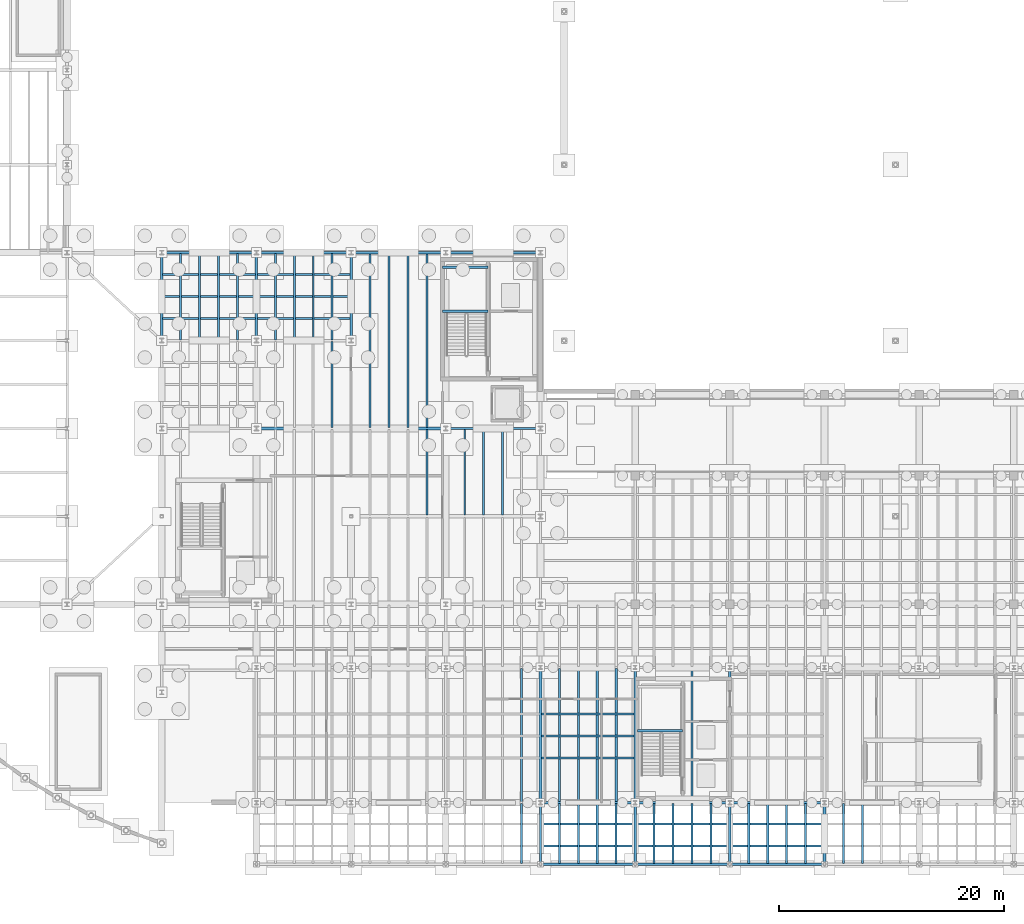
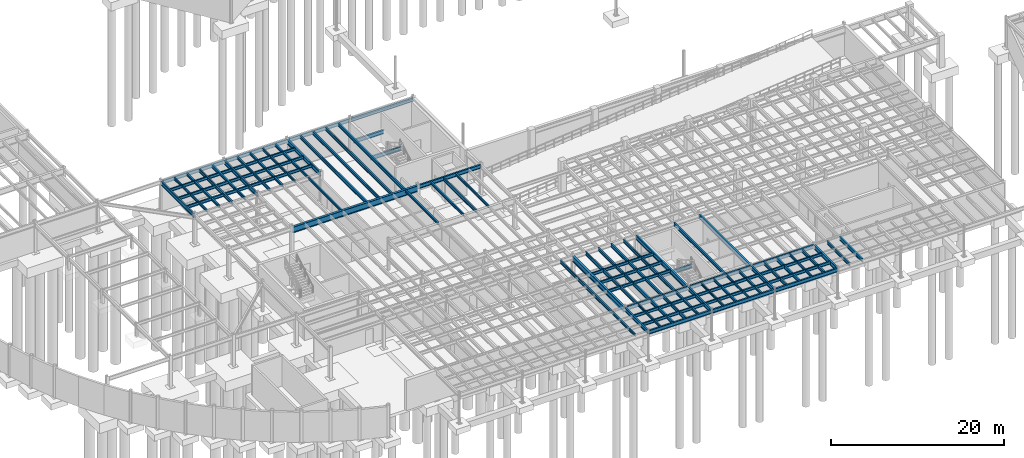
# One storey, part 26 of 41: 78 beams.
"""IFC4 building model written with IfcOpenShell, lengths in metres."""

from ifc_helpers import new_model, si_unit, direction, frame, origin, origin_2d, place, context, subcontext, project, spatial, i_section, extrude, material, material_profile, profile_set, type_object, element, save


model = new_model("IFC4")

# Units and contexts
model_context = context("Model", 3, precision=1e-05, world=origin(), true_north=direction((0.0, 1.0)))
body_context = subcontext(model_context, "Body", "Model", "MODEL_VIEW")
ifc_project = project(units=[si_unit("LENGTHUNIT", "METRE"), si_unit("AREAUNIT", "SQUARE_METRE"), si_unit("VOLUMEUNIT", "CUBIC_METRE"), si_unit("PLANEANGLEUNIT", "RADIAN"), si_unit("MASSUNIT", "GRAM", prefix="KILO")], contexts=[model_context])

# Site, building, storey
site_placement = place(None, origin())
site = spatial("IfcSite", under=ifc_project, at=site_placement, CompositionType="ELEMENT")
building_placement = place(site_placement, origin())
building = spatial("IfcBuilding", under=site, at=building_placement, Name="Selat Folded Stagehouse", CompositionType="ELEMENT")
storey_placement = place(building_placement, frame((0.0, 0.0, -4.5)))
storey = spatial("IfcBuildingStorey", under=building, at=storey_placement, Name="B1", CompositionType="ELEMENT", Elevation=-4.5)

# Beams
ifc_material = material(Name="Steel S355", Category="steel")
ifc_material_profile_1 = material_profile(ifc_material, i_section(OverallWidth=0.210693359375, OverallDepth=0.53955078125, WebThickness=0.01171875, FlangeThickness=0.018798828125, FilletRadius=0.0126953125, at=origin_2d()), Name="UKB 533x210x109")
ifc_profile_set_1 = profile_set([ifc_material_profile_1], Name="Steel S355")
beam_type_1 = type_object("IfcBeamType", Name="BM-GIRD-533x210x109", PredefinedType="BEAM", material=ifc_profile_set_1)
for number, where, z_axis, x_axis, name in (
    (1, (33.60009765625, 46.8798828125, 3.9501953125), (0.0, 1.0, 0.0), (-1.0, 0.0, 0.0), "B1 primary y-girder 0095"),
    (2, (42.0, 46.8798828125, 3.9501953125), (0.0, 1.0, 0.0), (-1.0, 0.0, 0.0), "B1 primary y-girder 0100"),
):
    element("IfcBeam", number, at=place(storey_placement, frame(where, z_axis=z_axis, x_axis=x_axis)), inside=storey, type_object=beam_type_1, Name=name, PredefinedType="BEAM", context=body_context, shape_type="SweptSolid", body=[
        extrude(i_section(OverallWidth=0.210693359375, OverallDepth=0.53955078125, WebThickness=0.01171875, FlangeThickness=0.018798828125, FilletRadius=0.0126953125, at=origin_2d()), origin(), (0.0, 0.0, 1.0), 7.64013671875),
    ])
for number, where, z_axis, x_axis, name in (
    (3, (67.199951171875, 0.418212890625, 3.990234375), (0.0, 1.0, 0.0), (-1.0, 0.0, 0.0), "B1 primary y-girder 0109"),
    (4, (75.60009765625, 0.418212890625, 3.990234375), (0.0, 1.0, 0.0), (-1.0, 0.0, 0.0), "B1 primary y-girder 0115"),
    (5, (84.0, 0.418212890625, 3.990234375), (0.0, 1.0, 0.0), (-1.0, 0.0, 0.0), "B1 primary y-girder 0119"),
):
    element("IfcBeam", number, at=place(storey_placement, frame(where, z_axis=z_axis, x_axis=x_axis)), inside=storey, type_object=beam_type_1, Name=name, PredefinedType="BEAM", context=body_context, shape_type="SweptSolid", body=[
        extrude(i_section(OverallWidth=0.210693359375, OverallDepth=0.53955078125, WebThickness=0.01171875, FlangeThickness=0.018798828125, FilletRadius=0.0126953125, at=origin_2d()), origin(), (0.0, 0.0, 1.0), 5.3017578125),
    ])
ifc_material_profile_2 = material_profile(ifc_material, i_section(OverallWidth=0.209228515625, OverallDepth=0.533203125, WebThickness=0.010009765625, FlangeThickness=0.015625, FilletRadius=0.0126953125, at=origin_2d()), Name="UKB 533x210x92")
ifc_profile_set_2 = profile_set([ifc_material_profile_2], Name="Steel S355")
beam_type_2 = type_object("IfcBeamType", Name="BM-GIRD-533x210x92", PredefinedType="BEAM", material=ifc_profile_set_2)
for number, where, z_axis, x_axis, name in (
    (6, (67.268310546875, 0.35009765625, 3.993408203125), (1.0, 0.0, 0.0), (0.0, 1.0, 0.0), "B1 primary x-girder 0007"),
    (7, (75.668212890625, 0.35009765625, 3.993408203125), (1.0, 0.0, 0.0), (0.0, 1.0, 0.0), "B1 primary x-girder 0008"),
    (8, (84.068359375, 0.35009765625, 3.993408203125), (1.0, 0.0, 0.0), (0.0, 1.0, 0.0), "B1 primary x-girder 0009"),
):
    element("IfcBeam", number, at=place(storey_placement, frame(where, z_axis=z_axis, x_axis=x_axis)), inside=storey, type_object=beam_type_2, Name=name, PredefinedType="BEAM", context=body_context, shape_type="SweptSolid", body=[
        extrude(i_section(OverallWidth=0.209228515625, OverallDepth=0.533203125, WebThickness=0.010009765625, FlangeThickness=0.015625, FilletRadius=0.0126953125, at=origin_2d()), origin(), (0.0, 0.0, 1.0), 8.263427734375),
    ])
for number, where, z_axis, x_axis, name in (
    (9, (67.280029296875, 5.800048828125, 3.9833984375), (1.0, 0.0, 0.0), (0.0, 1.0, 0.0), "B1 primary x-girder 0016"),
    (10, (75.679931640625, 5.800048828125, 3.9833984375), (1.0, 0.0, 0.0), (0.0, 1.0, 0.0), "B1 primary x-girder 0017"),
    (11, (84.080078125, 5.800048828125, 3.9833984375), (1.0, 0.0, 0.0), (0.0, 1.0, 0.0), "B1 primary x-girder 0018"),
):
    element("IfcBeam", number, at=place(storey_placement, frame(where, z_axis=z_axis, x_axis=x_axis)), inside=storey, type_object=beam_type_2, Name=name, PredefinedType="BEAM", context=body_context, shape_type="SweptSolid", body=[
        extrude(i_section(OverallWidth=0.209228515625, OverallDepth=0.533203125, WebThickness=0.010009765625, FlangeThickness=0.015625, FilletRadius=0.0126953125, at=origin_2d()), origin(), (0.0, 0.0, 1.0), 8.239990234375),
    ])
beam_1_placement = place(storey_placement, frame((58.8798828125, 39.0, 3.953369140625), z_axis=(1.0, 0.0, 0.0), x_axis=(0.0, 1.0, 0.0)))
element("IfcBeam", 12, at=beam_1_placement, inside=storey, type_object=beam_type_2, Name="B1 primary x-girder 0060", PredefinedType="BEAM", context=body_context, shape_type="SweptSolid", body=[
    extrude(i_section(OverallWidth=0.209228515625, OverallDepth=0.533203125, WebThickness=0.010009765625, FlangeThickness=0.015625, FilletRadius=0.0126953125, at=origin_2d()), origin(), (0.0, 0.0, 1.0), 8.240234375),
])
for number, where, z_axis, x_axis, name in (
    (13, (33.679931640625, 54.60009765625, 3.953369140625), (1.0, 0.0, 0.0), (0.0, 1.0, 0.0), "B1 primary x-girder 0071"),
    (14, (42.080078125, 54.60009765625, 3.953369140625), (1.0, 0.0, 0.0), (0.0, 1.0, 0.0), "B1 primary x-girder 0072"),
    (15, (50.47998046875, 54.60009765625, 3.953369140625), (1.0, 0.0, 0.0), (0.0, 1.0, 0.0), "B1 primary x-girder 0073"),
):
    element("IfcBeam", number, at=place(storey_placement, frame(where, z_axis=z_axis, x_axis=x_axis)), inside=storey, type_object=beam_type_2, Name=name, PredefinedType="BEAM", context=body_context, shape_type="SweptSolid", body=[
        extrude(i_section(OverallWidth=0.209228515625, OverallDepth=0.533203125, WebThickness=0.010009765625, FlangeThickness=0.015625, FilletRadius=0.0126953125, at=origin_2d()), origin(), (0.0, 0.0, 1.0), 8.239990234375),
    ])
beam_2_placement = place(storey_placement, frame((58.8798828125, 54.60009765625, 3.953369140625), z_axis=(1.0, 0.0, 0.0), x_axis=(0.0, 1.0, 0.0)))
element("IfcBeam", 16, at=beam_2_placement, inside=storey, type_object=beam_type_2, Name="B1 primary x-girder 0074", PredefinedType="BEAM", context=body_context, shape_type="SweptSolid", body=[
    extrude(i_section(OverallWidth=0.209228515625, OverallDepth=0.533203125, WebThickness=0.010009765625, FlangeThickness=0.015625, FilletRadius=0.0126953125, at=origin_2d()), origin(), (0.0, 0.0, 1.0), 8.240234375),
])
for number, where, z_axis, x_axis, name in (
    (17, (58.5, 49.4150390625, 1.783447265625), (1.0, 0.0, 0.0), (0.0, 1.0, 0.0), "B1 ST-02 landing support beam 1"),
    (18, (58.5, 53.31005859375, 1.783447265625), (1.0, 0.0, 0.0), (0.0, 1.0, 0.0), "B1 ST-02 landing support beam 2"),
):
    element("IfcBeam", number, at=place(storey_placement, frame(where, z_axis=z_axis, x_axis=x_axis)), inside=storey, type_object=beam_type_2, Name=name, PredefinedType="BEAM", context=body_context, shape_type="SweptSolid", body=[
        extrude(i_section(OverallWidth=0.209228515625, OverallDepth=0.533203125, WebThickness=0.010009765625, FlangeThickness=0.015625, FilletRadius=0.0126953125, at=origin_2d()), origin(), (0.0, 0.0, 1.0), 4.050048828125),
    ])
beam_3_placement = place(storey_placement, frame((75.800048828125, 12.18505859375, 1.783447265625), z_axis=(1.0, 0.0, 0.0), x_axis=(0.0, 1.0, 0.0)))
element("IfcBeam", 19, at=beam_3_placement, inside=storey, type_object=beam_type_2, Name="B1 ST-03 landing support beam 1", PredefinedType="BEAM", context=body_context, shape_type="SweptSolid", body=[
    extrude(i_section(OverallWidth=0.209228515625, OverallDepth=0.533203125, WebThickness=0.010009765625, FlangeThickness=0.015625, FilletRadius=0.0126953125, at=origin_2d()), origin(), (0.0, 0.0, 1.0), 4.02001953125),
])
ifc_material_profile_3 = material_profile(ifc_material, i_section(OverallWidth=0.230224609375, OverallDepth=0.6171875, WebThickness=0.01318359375, FlangeThickness=0.022216796875, FilletRadius=0.0126953125, at=origin_2d()), Name="UKB 610x229x140")
ifc_profile_set_3 = profile_set([ifc_material_profile_3], Name="Steel S355")
beam_type_3 = type_object("IfcBeamType", Name="BM-GIRD-610x229x140", PredefinedType="BEAM", material=ifc_profile_set_3)
beam_4_placement = place(storey_placement, frame((50.39990234375, 46.8798828125, 3.911376953125), z_axis=(0.0, 1.0, 0.0), x_axis=(-1.0, 0.0, 0.0)))
element("IfcBeam", 20, at=beam_4_placement, inside=storey, type_object=beam_type_3, Name="B1 primary y-girder 0105", PredefinedType="BEAM", context=body_context, shape_type="SweptSolid", body=[
    extrude(i_section(OverallWidth=0.230224609375, OverallDepth=0.6171875, WebThickness=0.01318359375, FlangeThickness=0.022216796875, FilletRadius=0.0126953125, at=origin_2d()), origin(), (0.0, 0.0, 1.0), 7.64013671875),
])
for number, where, z_axis, x_axis, name in (
    (21, (75.60009765625, 5.8798828125, 3.94140625), (0.0, 1.0, 0.0), (-1.0, 0.0, 0.0), "B1 primary y-girder 0116"),
    (22, (84.0, 5.8798828125, 3.94140625), (0.0, 1.0, 0.0), (-1.0, 0.0, 0.0), "B1 primary y-girder 0120"),
):
    element("IfcBeam", number, at=place(storey_placement, frame(where, z_axis=z_axis, x_axis=x_axis)), inside=storey, type_object=beam_type_3, Name=name, PredefinedType="BEAM", context=body_context, shape_type="SweptSolid", body=[
        extrude(i_section(OverallWidth=0.230224609375, OverallDepth=0.6171875, WebThickness=0.01318359375, FlangeThickness=0.022216796875, FilletRadius=0.0126953125, at=origin_2d()), origin(), (0.0, 0.0, 1.0), 11.840087890625),
    ])
beam_5_placement = place(storey_placement, frame((92.39990234375, 0.418212890625, 3.951416015625), z_axis=(0.0, 1.0, 0.0), x_axis=(-1.0, 0.0, 0.0)))
element("IfcBeam", 23, at=beam_5_placement, inside=storey, type_object=beam_type_3, Name="B1 primary y-girder 0123", PredefinedType="BEAM", context=body_context, shape_type="SweptSolid", body=[
    extrude(i_section(OverallWidth=0.230224609375, OverallDepth=0.6171875, WebThickness=0.01318359375, FlangeThickness=0.022216796875, FilletRadius=0.0126953125, at=origin_2d()), origin(), (0.0, 0.0, 1.0), 5.3017578125),
])
ifc_material_profile_4 = material_profile(ifc_material, i_section(OverallWidth=0.26806640625, OverallDepth=0.769775390625, WebThickness=0.015625, FlangeThickness=0.025390625, FilletRadius=0.0166015625, at=origin_2d()), Name="UKB 762x267x197")
ifc_profile_set_4 = profile_set([ifc_material_profile_4], Name="Steel S355")
beam_type_4 = type_object("IfcBeamType", Name="BM-GIRD-762x267x197", PredefinedType="BEAM", material=ifc_profile_set_4)
beam_6_placement = place(storey_placement, frame((67.199951171875, 5.8798828125, 3.864990234375), z_axis=(0.0, 1.0, 0.0), x_axis=(-1.0, 0.0, 0.0)))
element("IfcBeam", 24, at=beam_6_placement, inside=storey, type_object=beam_type_4, Name="B1 primary y-girder 0110", PredefinedType="BEAM", context=body_context, shape_type="SweptSolid", body=[
    extrude(i_section(OverallWidth=0.26806640625, OverallDepth=0.769775390625, WebThickness=0.015625, FlangeThickness=0.025390625, FilletRadius=0.0166015625, at=origin_2d()), origin(), (0.0, 0.0, 1.0), 11.840087890625),
])
ifc_material_profile_5 = material_profile(ifc_material, i_section(OverallWidth=0.293701171875, OverallDepth=0.850830078125, WebThickness=0.01611328125, FlangeThickness=0.02685546875, FilletRadius=0.017822265625, at=origin_2d()), Name="UKB 838x292x226")
ifc_profile_set_5 = profile_set([ifc_material_profile_5], Name="Steel S355")
beam_type_5 = type_object("IfcBeamType", Name="BM-LONG-838x292x226", PredefinedType="BEAM", material=ifc_profile_set_5)
beam_7_placement = place(storey_placement, frame((42.080078125, 39.0, 3.79443359375), z_axis=(1.0, 0.0, 0.0), x_axis=(0.0, 1.0, 0.0)))
element("IfcBeam", 25, at=beam_7_placement, inside=storey, type_object=beam_type_5, Name="B1 primary x-girder 0059", PredefinedType="BEAM", context=body_context, shape_type="SweptSolid", body=[
    extrude(i_section(OverallWidth=0.293701171875, OverallDepth=0.850830078125, WebThickness=0.01611328125, FlangeThickness=0.02685546875, FilletRadius=0.017822265625, at=origin_2d()), origin(), (0.0, 0.0, 1.0), 16.639892578125),
])
ifc_material_profile_6 = material_profile(ifc_material, i_section(OverallWidth=0.1650390625, OverallDepth=0.303466796875, WebThickness=0.006103515625, FlangeThickness=0.01025390625, FilletRadius=0.0087890625, at=origin_2d()), Name="UKB 305x165x40")
ifc_profile_set_6 = profile_set([ifc_material_profile_6], Name="Steel S355")
beam_type_6 = type_object("IfcBeamType", Name="JST-305x165x40", PredefinedType="JOIST", material=ifc_profile_set_6)
for number, where, z_axis, x_axis, name in (
    (26, (68.8798828125, 0.42333984375, 4.098388671875), (0.0, 1.0, 0.0), (-1.0, 0.0, 0.0), "B1 secondary floor joist 0263"),
    (27, (77.280029296875, 0.42333984375, 4.098388671875), (0.0, 1.0, 0.0), (-1.0, 0.0, 0.0), "B1 secondary floor joist 0275"),
    (28, (80.639892578125, 0.42333984375, 4.098388671875), (0.0, 1.0, 0.0), (-1.0, 0.0, 0.0), "B1 secondary floor joist 0281"),
):
    element("IfcBeam", number, at=place(storey_placement, frame(where, z_axis=z_axis, x_axis=x_axis)), inside=storey, type_object=beam_type_6, Name=name, PredefinedType="JOIST", context=body_context, shape_type="SweptSolid", body=[
        extrude(i_section(OverallWidth=0.1650390625, OverallDepth=0.303466796875, WebThickness=0.006103515625, FlangeThickness=0.01025390625, FilletRadius=0.0087890625, at=origin_2d()), origin(), (0.0, 0.0, 1.0), 5.303466796875),
    ])
ifc_material_profile_7 = material_profile(ifc_material, i_section(OverallWidth=0.17138671875, OverallDepth=0.35498046875, WebThickness=0.00732421875, FlangeThickness=0.011474609375, FilletRadius=0.01025390625, at=origin_2d()), Name="UKB 356x171x51")
ifc_profile_set_7 = profile_set([ifc_material_profile_7], Name="Steel S355")
beam_type_7 = type_object("IfcBeamType", Name="JST-356x171x51", PredefinedType="JOIST", material=ifc_profile_set_7)
for number, where, z_axis, x_axis, name in (
    (29, (35.280029296875, 46.873291015625, 4.04248046875), (0.0, 1.0, 0.0), (-1.0, 0.0, 0.0), "B1 secondary floor joist 0188"),
    (30, (36.9599609375, 46.873291015625, 4.04248046875), (0.0, 1.0, 0.0), (-1.0, 0.0, 0.0), "B1 secondary floor joist 0190"),
    (31, (45.360107421875, 46.873291015625, 4.04248046875), (0.0, 1.0, 0.0), (-1.0, 0.0, 0.0), "B1 secondary floor joist 0206"),
    (32, (47.0400390625, 46.873291015625, 4.04248046875), (0.0, 1.0, 0.0), (-1.0, 0.0, 0.0), "B1 secondary floor joist 0212"),
):
    element("IfcBeam", number, at=place(storey_placement, frame(where, z_axis=z_axis, x_axis=x_axis)), inside=storey, type_object=beam_type_7, Name=name, PredefinedType="JOIST", context=body_context, shape_type="SweptSolid", body=[
        extrude(i_section(OverallWidth=0.17138671875, OverallDepth=0.35498046875, WebThickness=0.00732421875, FlangeThickness=0.011474609375, FilletRadius=0.01025390625, at=origin_2d()), origin(), (0.0, 0.0, 1.0), 7.6533203125),
    ])
beam_8_placement = place(storey_placement, frame((48.719970703125, 39.102783203125, 4.04248046875), z_axis=(0.0, 1.0, 0.0), x_axis=(-1.0, 0.0, 0.0)))
element("IfcBeam", 33, at=beam_8_placement, inside=storey, type_object=beam_type_7, Name="B1 secondary floor joist 0217", PredefinedType="JOIST", context=body_context, shape_type="SweptSolid", body=[
    extrude(i_section(OverallWidth=0.17138671875, OverallDepth=0.35498046875, WebThickness=0.00732421875, FlangeThickness=0.011474609375, FilletRadius=0.01025390625, at=origin_2d()), origin(), (0.0, 0.0, 1.0), 7.6240234375),
])
beam_9_placement = place(storey_placement, frame((48.719970703125, 46.873291015625, 4.04248046875), z_axis=(0.0, 1.0, 0.0), x_axis=(-1.0, 0.0, 0.0)))
element("IfcBeam", 34, at=beam_9_placement, inside=storey, type_object=beam_type_7, Name="B1 secondary floor joist 0218", PredefinedType="JOIST", context=body_context, shape_type="SweptSolid", body=[
    extrude(i_section(OverallWidth=0.17138671875, OverallDepth=0.35498046875, WebThickness=0.00732421875, FlangeThickness=0.011474609375, FilletRadius=0.01025390625, at=origin_2d()), origin(), (0.0, 0.0, 1.0), 7.6533203125),
])
beam_10_placement = place(storey_placement, frame((57.1201171875, 31.302734375, 4.04248046875), z_axis=(0.0, 1.0, 0.0), x_axis=(-1.0, 0.0, 0.0)))
element("IfcBeam", 35, at=beam_10_placement, inside=storey, type_object=beam_type_7, Name="B1 secondary floor joist 0241", PredefinedType="JOIST", context=body_context, shape_type="SweptSolid", body=[
    extrude(i_section(OverallWidth=0.17138671875, OverallDepth=0.35498046875, WebThickness=0.00732421875, FlangeThickness=0.011474609375, FilletRadius=0.01025390625, at=origin_2d()), origin(), (0.0, 0.0, 1.0), 7.594482421875),
])
for number, where, z_axis, x_axis, name in (
    (36, (60.47998046875, 31.302734375, 4.04248046875), (0.0, 1.0, 0.0), (-1.0, 0.0, 0.0), "B1 secondary floor joist 0247"),
    (37, (63.840087890625, 31.302734375, 4.04248046875), (0.0, 1.0, 0.0), (-1.0, 0.0, 0.0), "B1 secondary floor joist 0257"),
):
    element("IfcBeam", number, at=place(storey_placement, frame(where, z_axis=z_axis, x_axis=x_axis)), inside=storey, type_object=beam_type_7, Name=name, PredefinedType="JOIST", context=body_context, shape_type="SweptSolid", body=[
        extrude(i_section(OverallWidth=0.17138671875, OverallDepth=0.35498046875, WebThickness=0.00732421875, FlangeThickness=0.011474609375, FilletRadius=0.01025390625, at=origin_2d()), origin(), (0.0, 0.0, 1.0), 7.6240234375),
    ])
for number, where, z_axis, x_axis, name in (
    (38, (65.52001953125, 0.42333984375, 4.072509765625), (0.0, 1.0, 0.0), (-1.0, 0.0, 0.0), "B1 secondary floor joist 0258"),
    (39, (73.919921875, 0.42333984375, 4.072509765625), (0.0, 1.0, 0.0), (-1.0, 0.0, 0.0), "B1 secondary floor joist 0272"),
    (40, (78.9599609375, 0.42333984375, 4.072509765625), (0.0, 1.0, 0.0), (-1.0, 0.0, 0.0), "B1 secondary floor joist 0278"),
    (41, (82.320068359375, 0.42333984375, 4.072509765625), (0.0, 1.0, 0.0), (-1.0, 0.0, 0.0), "B1 secondary floor joist 0285"),
    (42, (89.0400390625, 0.42333984375, 4.072509765625), (0.0, 1.0, 0.0), (-1.0, 0.0, 0.0), "B1 secondary floor joist 0296"),
):
    element("IfcBeam", number, at=place(storey_placement, frame(where, z_axis=z_axis, x_axis=x_axis)), inside=storey, type_object=beam_type_7, Name=name, PredefinedType="JOIST", context=body_context, shape_type="SweptSolid", body=[
        extrude(i_section(OverallWidth=0.17138671875, OverallDepth=0.35498046875, WebThickness=0.00732421875, FlangeThickness=0.011474609375, FilletRadius=0.01025390625, at=origin_2d()), origin(), (0.0, 0.0, 1.0), 5.303466796875),
    ])
ifc_material_profile_8 = material_profile(ifc_material, i_section(OverallWidth=0.177978515625, OverallDepth=0.406494140625, WebThickness=0.0078125, FlangeThickness=0.0126953125, FilletRadius=0.01025390625, at=origin_2d()), Name="UKB 406x178x60")
ifc_profile_set_8 = profile_set([ifc_material_profile_8], Name="Steel S355")
beam_type_8 = type_object("IfcBeamType", Name="JST-406x178x60", PredefinedType="JOIST", material=ifc_profile_set_8)
for number, where, z_axis, x_axis, name in (
    (43, (40.320068359375, 46.873291015625, 4.016845703125), (0.0, 1.0, 0.0), (-1.0, 0.0, 0.0), "B1 secondary floor joist 0194"),
    (44, (43.679931640625, 46.873291015625, 4.016845703125), (0.0, 1.0, 0.0), (-1.0, 0.0, 0.0), "B1 secondary floor joist 0200"),
):
    element("IfcBeam", number, at=place(storey_placement, frame(where, z_axis=z_axis, x_axis=x_axis)), inside=storey, type_object=beam_type_8, Name=name, PredefinedType="JOIST", context=body_context, shape_type="SweptSolid", body=[
        extrude(i_section(OverallWidth=0.177978515625, OverallDepth=0.406494140625, WebThickness=0.0078125, FlangeThickness=0.0126953125, FilletRadius=0.01025390625, at=origin_2d()), origin(), (0.0, 0.0, 1.0), 7.6533203125),
    ])
for number, where, z_axis, x_axis, name in (
    (45, (67.273681640625, 1.949951171875, 4.056884765625), (1.0, 0.0, 0.0), (0.0, 1.0, 0.0), "B1 secondary x-joist 0387"),
    (46, (75.673828125, 1.949951171875, 4.056884765625), (1.0, 0.0, 0.0), (0.0, 1.0, 0.0), "B1 secondary x-joist 0388"),
):
    element("IfcBeam", number, at=place(storey_placement, frame(where, z_axis=z_axis, x_axis=x_axis)), inside=storey, type_object=beam_type_8, Name=name, PredefinedType="JOIST", context=body_context, shape_type="SweptSolid", body=[
        extrude(i_section(OverallWidth=0.177978515625, OverallDepth=0.406494140625, WebThickness=0.0078125, FlangeThickness=0.0126953125, FilletRadius=0.01025390625, at=origin_2d()), origin(), (0.0, 0.0, 1.0), 8.25244140625),
    ])
beam_11_placement = place(storey_placement, frame((84.07373046875, 1.949951171875, 4.056884765625), z_axis=(1.0, 0.0, 0.0), x_axis=(0.0, 1.0, 0.0)))
element("IfcBeam", 47, at=beam_11_placement, inside=storey, type_object=beam_type_8, Name="B1 secondary x-joist 0389", PredefinedType="JOIST", context=body_context, shape_type="SweptSolid", body=[
    extrude(i_section(OverallWidth=0.177978515625, OverallDepth=0.406494140625, WebThickness=0.0078125, FlangeThickness=0.0126953125, FilletRadius=0.01025390625, at=origin_2d()), origin(), (0.0, 0.0, 1.0), 8.24560546875),
])
for number, where, z_axis, x_axis, name in (
    (48, (67.273681640625, 3.89990234375, 4.056884765625), (1.0, 0.0, 0.0), (0.0, 1.0, 0.0), "B1 secondary x-joist 0396"),
    (49, (75.673828125, 3.89990234375, 4.056884765625), (1.0, 0.0, 0.0), (0.0, 1.0, 0.0), "B1 secondary x-joist 0397"),
):
    element("IfcBeam", number, at=place(storey_placement, frame(where, z_axis=z_axis, x_axis=x_axis)), inside=storey, type_object=beam_type_8, Name=name, PredefinedType="JOIST", context=body_context, shape_type="SweptSolid", body=[
        extrude(i_section(OverallWidth=0.177978515625, OverallDepth=0.406494140625, WebThickness=0.0078125, FlangeThickness=0.0126953125, FilletRadius=0.01025390625, at=origin_2d()), origin(), (0.0, 0.0, 1.0), 8.25244140625),
    ])
beam_12_placement = place(storey_placement, frame((84.07373046875, 3.89990234375, 4.056884765625), z_axis=(1.0, 0.0, 0.0), x_axis=(0.0, 1.0, 0.0)))
element("IfcBeam", 50, at=beam_12_placement, inside=storey, type_object=beam_type_8, Name="B1 secondary x-joist 0398", PredefinedType="JOIST", context=body_context, shape_type="SweptSolid", body=[
    extrude(i_section(OverallWidth=0.177978515625, OverallDepth=0.406494140625, WebThickness=0.0078125, FlangeThickness=0.0126953125, FilletRadius=0.01025390625, at=origin_2d()), origin(), (0.0, 0.0, 1.0), 8.24560546875),
])
for number, where, z_axis, x_axis, name in (
    (51, (67.293701171875, 9.75, 4.046875), (1.0, 0.0, 0.0), (0.0, 1.0, 0.0), "B1 secondary x-joist 0406"),
    (52, (67.293701171875, 11.699951171875, 4.046875), (1.0, 0.0, 0.0), (0.0, 1.0, 0.0), "B1 secondary x-joist 0414"),
    (53, (67.293701171875, 13.64990234375, 4.046875), (1.0, 0.0, 0.0), (0.0, 1.0, 0.0), "B1 secondary x-joist 0422"),
):
    element("IfcBeam", number, at=place(storey_placement, frame(where, z_axis=z_axis, x_axis=x_axis)), inside=storey, type_object=beam_type_8, Name=name, PredefinedType="JOIST", context=body_context, shape_type="SweptSolid", body=[
        extrude(i_section(OverallWidth=0.177978515625, OverallDepth=0.406494140625, WebThickness=0.0078125, FlangeThickness=0.0126953125, FilletRadius=0.01025390625, at=origin_2d()), origin(), (0.0, 0.0, 1.0), 8.2255859375),
    ])
beam_13_placement = place(storey_placement, frame((33.673828125, 48.75, 4.016845703125), z_axis=(1.0, 0.0, 0.0), x_axis=(0.0, 1.0, 0.0)))
element("IfcBeam", 54, at=beam_13_placement, inside=storey, type_object=beam_type_8, Name="B1 secondary x-joist 0485", PredefinedType="JOIST", context=body_context, shape_type="SweptSolid", body=[
    extrude(i_section(OverallWidth=0.177978515625, OverallDepth=0.406494140625, WebThickness=0.0078125, FlangeThickness=0.0126953125, FilletRadius=0.01025390625, at=origin_2d()), origin(), (0.0, 0.0, 1.0), 8.25244140625),
])
beam_14_placement = place(storey_placement, frame((42.07373046875, 48.75, 4.016845703125), z_axis=(1.0, 0.0, 0.0), x_axis=(0.0, 1.0, 0.0)))
element("IfcBeam", 55, at=beam_14_placement, inside=storey, type_object=beam_type_8, Name="B1 secondary x-joist 0486", PredefinedType="JOIST", context=body_context, shape_type="SweptSolid", body=[
    extrude(i_section(OverallWidth=0.177978515625, OverallDepth=0.406494140625, WebThickness=0.0078125, FlangeThickness=0.0126953125, FilletRadius=0.01025390625, at=origin_2d()), origin(), (0.0, 0.0, 1.0), 8.24560546875),
])
beam_15_placement = place(storey_placement, frame((33.673828125, 50.699951171875, 4.016845703125), z_axis=(1.0, 0.0, 0.0), x_axis=(0.0, 1.0, 0.0)))
element("IfcBeam", 56, at=beam_15_placement, inside=storey, type_object=beam_type_8, Name="B1 secondary x-joist 0487", PredefinedType="JOIST", context=body_context, shape_type="SweptSolid", body=[
    extrude(i_section(OverallWidth=0.177978515625, OverallDepth=0.406494140625, WebThickness=0.0078125, FlangeThickness=0.0126953125, FilletRadius=0.01025390625, at=origin_2d()), origin(), (0.0, 0.0, 1.0), 8.25244140625),
])
beam_16_placement = place(storey_placement, frame((42.07373046875, 50.699951171875, 4.016845703125), z_axis=(1.0, 0.0, 0.0), x_axis=(0.0, 1.0, 0.0)))
element("IfcBeam", 57, at=beam_16_placement, inside=storey, type_object=beam_type_8, Name="B1 secondary x-joist 0488", PredefinedType="JOIST", context=body_context, shape_type="SweptSolid", body=[
    extrude(i_section(OverallWidth=0.177978515625, OverallDepth=0.406494140625, WebThickness=0.0078125, FlangeThickness=0.0126953125, FilletRadius=0.01025390625, at=origin_2d()), origin(), (0.0, 0.0, 1.0), 8.24560546875),
])
beam_17_placement = place(storey_placement, frame((33.673828125, 52.64990234375, 4.016845703125), z_axis=(1.0, 0.0, 0.0), x_axis=(0.0, 1.0, 0.0)))
element("IfcBeam", 58, at=beam_17_placement, inside=storey, type_object=beam_type_8, Name="B1 secondary x-joist 0489", PredefinedType="JOIST", context=body_context, shape_type="SweptSolid", body=[
    extrude(i_section(OverallWidth=0.177978515625, OverallDepth=0.406494140625, WebThickness=0.0078125, FlangeThickness=0.0126953125, FilletRadius=0.01025390625, at=origin_2d()), origin(), (0.0, 0.0, 1.0), 8.25244140625),
])
beam_18_placement = place(storey_placement, frame((42.07373046875, 52.64990234375, 4.016845703125), z_axis=(1.0, 0.0, 0.0), x_axis=(0.0, 1.0, 0.0)))
element("IfcBeam", 59, at=beam_18_placement, inside=storey, type_object=beam_type_8, Name="B1 secondary x-joist 0490", PredefinedType="JOIST", context=body_context, shape_type="SweptSolid", body=[
    extrude(i_section(OverallWidth=0.177978515625, OverallDepth=0.406494140625, WebThickness=0.0078125, FlangeThickness=0.0126953125, FilletRadius=0.01025390625, at=origin_2d()), origin(), (0.0, 0.0, 1.0), 8.24560546875),
])
ifc_material_profile_9 = material_profile(ifc_material, i_section(OverallWidth=0.18994140625, OverallDepth=0.453369140625, WebThickness=0.008544921875, FlangeThickness=0.0126953125, FilletRadius=0.01025390625, at=origin_2d()), Name="UKB 457x191x67")
ifc_profile_set_9 = profile_set([ifc_material_profile_9], Name="Steel S355")
beam_type_9 = type_object("IfcBeamType", Name="JST-457x191x67", PredefinedType="JOIST", material=ifc_profile_set_9)
beam_19_placement = place(storey_placement, frame((38.639892578125, 46.873291015625, 3.993408203125), z_axis=(0.0, 1.0, 0.0), x_axis=(-1.0, 0.0, 0.0)))
element("IfcBeam", 60, at=beam_19_placement, inside=storey, type_object=beam_type_9, Name="B1 secondary floor joist 0192", PredefinedType="JOIST", context=body_context, shape_type="SweptSolid", body=[
    extrude(i_section(OverallWidth=0.18994140625, OverallDepth=0.453369140625, WebThickness=0.008544921875, FlangeThickness=0.0126953125, FilletRadius=0.01025390625, at=origin_2d()), origin(), (0.0, 0.0, 1.0), 7.6533203125),
])
for number, where, z_axis, x_axis, name in (
    (61, (52.080078125, 39.102783203125, 3.993408203125), (0.0, 1.0, 0.0), (-1.0, 0.0, 0.0), "B1 secondary floor joist 0224"),
    (62, (53.760009765625, 39.102783203125, 3.993408203125), (0.0, 1.0, 0.0), (-1.0, 0.0, 0.0), "B1 secondary floor joist 0230"),
    (63, (55.43994140625, 39.102783203125, 3.993408203125), (0.0, 1.0, 0.0), (-1.0, 0.0, 0.0), "B1 secondary floor joist 0236"),
    (64, (57.1201171875, 39.102783203125, 3.993408203125), (0.0, 1.0, 0.0), (-1.0, 0.0, 0.0), "B1 secondary floor joist 0242"),
):
    element("IfcBeam", number, at=place(storey_placement, frame(where, z_axis=z_axis, x_axis=x_axis)), inside=storey, type_object=beam_type_9, Name=name, PredefinedType="JOIST", context=body_context, shape_type="SweptSolid", body=[
        extrude(i_section(OverallWidth=0.18994140625, OverallDepth=0.453369140625, WebThickness=0.008544921875, FlangeThickness=0.0126953125, FilletRadius=0.01025390625, at=origin_2d()), origin(), (0.0, 0.0, 1.0), 15.423828125),
    ])
beam_20_placement = place(storey_placement, frame((62.159912109375, 31.302734375, 3.993408203125), z_axis=(0.0, 1.0, 0.0), x_axis=(-1.0, 0.0, 0.0)))
element("IfcBeam", 65, at=beam_20_placement, inside=storey, type_object=beam_type_9, Name="B1 secondary floor joist 0252", PredefinedType="JOIST", context=body_context, shape_type="SweptSolid", body=[
    extrude(i_section(OverallWidth=0.18994140625, OverallDepth=0.453369140625, WebThickness=0.008544921875, FlangeThickness=0.0126953125, FilletRadius=0.01025390625, at=origin_2d()), origin(), (0.0, 0.0, 1.0), 7.6240234375),
])
for number, where, z_axis, x_axis, name in (
    (66, (65.52001953125, 5.873291015625, 4.023193359375), (0.0, 1.0, 0.0), (-1.0, 0.0, 0.0), "B1 secondary floor joist 0259"),
    (67, (68.8798828125, 5.873291015625, 4.023193359375), (0.0, 1.0, 0.0), (-1.0, 0.0, 0.0), "B1 secondary floor joist 0264"),
):
    element("IfcBeam", number, at=place(storey_placement, frame(where, z_axis=z_axis, x_axis=x_axis)), inside=storey, type_object=beam_type_9, Name=name, PredefinedType="JOIST", context=body_context, shape_type="SweptSolid", body=[
        extrude(i_section(OverallWidth=0.18994140625, OverallDepth=0.453369140625, WebThickness=0.008544921875, FlangeThickness=0.0126953125, FilletRadius=0.01025390625, at=origin_2d()), origin(), (0.0, 0.0, 1.0), 11.853515625),
    ])
beam_21_placement = place(storey_placement, frame((70.56005859375, 0.42333984375, 4.023193359375), z_axis=(0.0, 1.0, 0.0), x_axis=(-1.0, 0.0, 0.0)))
element("IfcBeam", 68, at=beam_21_placement, inside=storey, type_object=beam_type_9, Name="B1 secondary floor joist 0266", PredefinedType="JOIST", context=body_context, shape_type="SweptSolid", body=[
    extrude(i_section(OverallWidth=0.18994140625, OverallDepth=0.453369140625, WebThickness=0.008544921875, FlangeThickness=0.0126953125, FilletRadius=0.01025390625, at=origin_2d()), origin(), (0.0, 0.0, 1.0), 5.303466796875),
])
beam_22_placement = place(storey_placement, frame((70.56005859375, 5.873291015625, 4.023193359375), z_axis=(0.0, 1.0, 0.0), x_axis=(-1.0, 0.0, 0.0)))
element("IfcBeam", 69, at=beam_22_placement, inside=storey, type_object=beam_type_9, Name="B1 secondary floor joist 0267", PredefinedType="JOIST", context=body_context, shape_type="SweptSolid", body=[
    extrude(i_section(OverallWidth=0.18994140625, OverallDepth=0.453369140625, WebThickness=0.008544921875, FlangeThickness=0.0126953125, FilletRadius=0.01025390625, at=origin_2d()), origin(), (0.0, 0.0, 1.0), 11.853515625),
])
beam_23_placement = place(storey_placement, frame((72.239990234375, 0.42333984375, 4.023193359375), z_axis=(0.0, 1.0, 0.0), x_axis=(-1.0, 0.0, 0.0)))
element("IfcBeam", 70, at=beam_23_placement, inside=storey, type_object=beam_type_9, Name="B1 secondary floor joist 0269", PredefinedType="JOIST", context=body_context, shape_type="SweptSolid", body=[
    extrude(i_section(OverallWidth=0.18994140625, OverallDepth=0.453369140625, WebThickness=0.008544921875, FlangeThickness=0.0126953125, FilletRadius=0.01025390625, at=origin_2d()), origin(), (0.0, 0.0, 1.0), 5.303466796875),
])
for number, where, z_axis, x_axis, name in (
    (71, (72.239990234375, 5.873291015625, 4.023193359375), (0.0, 1.0, 0.0), (-1.0, 0.0, 0.0), "B1 secondary floor joist 0270"),
    (72, (73.919921875, 5.873291015625, 4.023193359375), (0.0, 1.0, 0.0), (-1.0, 0.0, 0.0), "B1 secondary floor joist 0273"),
    (73, (80.639892578125, 5.873291015625, 4.023193359375), (0.0, 1.0, 0.0), (-1.0, 0.0, 0.0), "B1 secondary floor joist 0282"),
):
    element("IfcBeam", number, at=place(storey_placement, frame(where, z_axis=z_axis, x_axis=x_axis)), inside=storey, type_object=beam_type_9, Name=name, PredefinedType="JOIST", context=body_context, shape_type="SweptSolid", body=[
        extrude(i_section(OverallWidth=0.18994140625, OverallDepth=0.453369140625, WebThickness=0.008544921875, FlangeThickness=0.0126953125, FilletRadius=0.01025390625, at=origin_2d()), origin(), (0.0, 0.0, 1.0), 11.853515625),
    ])
for number, where, z_axis, x_axis, name in (
    (74, (85.679931640625, 0.42333984375, 4.023193359375), (0.0, 1.0, 0.0), (-1.0, 0.0, 0.0), "B1 secondary floor joist 0288"),
    (75, (87.360107421875, 0.42333984375, 4.023193359375), (0.0, 1.0, 0.0), (-1.0, 0.0, 0.0), "B1 secondary floor joist 0292"),
    (76, (90.719970703125, 0.42333984375, 4.023193359375), (0.0, 1.0, 0.0), (-1.0, 0.0, 0.0), "B1 secondary floor joist 0300"),
    (77, (94.080078125, 0.42333984375, 4.023193359375), (0.0, 1.0, 0.0), (-1.0, 0.0, 0.0), "B1 secondary floor joist 0304"),
    (78, (95.760009765625, 0.42333984375, 4.023193359375), (0.0, 1.0, 0.0), (-1.0, 0.0, 0.0), "B1 secondary floor joist 0308"),
):
    element("IfcBeam", number, at=place(storey_placement, frame(where, z_axis=z_axis, x_axis=x_axis)), inside=storey, type_object=beam_type_9, Name=name, PredefinedType="JOIST", context=body_context, shape_type="SweptSolid", body=[
        extrude(i_section(OverallWidth=0.18994140625, OverallDepth=0.453369140625, WebThickness=0.008544921875, FlangeThickness=0.0126953125, FilletRadius=0.01025390625, at=origin_2d()), origin(), (0.0, 0.0, 1.0), 5.303466796875),
    ])

save(model, "model.ifc")
